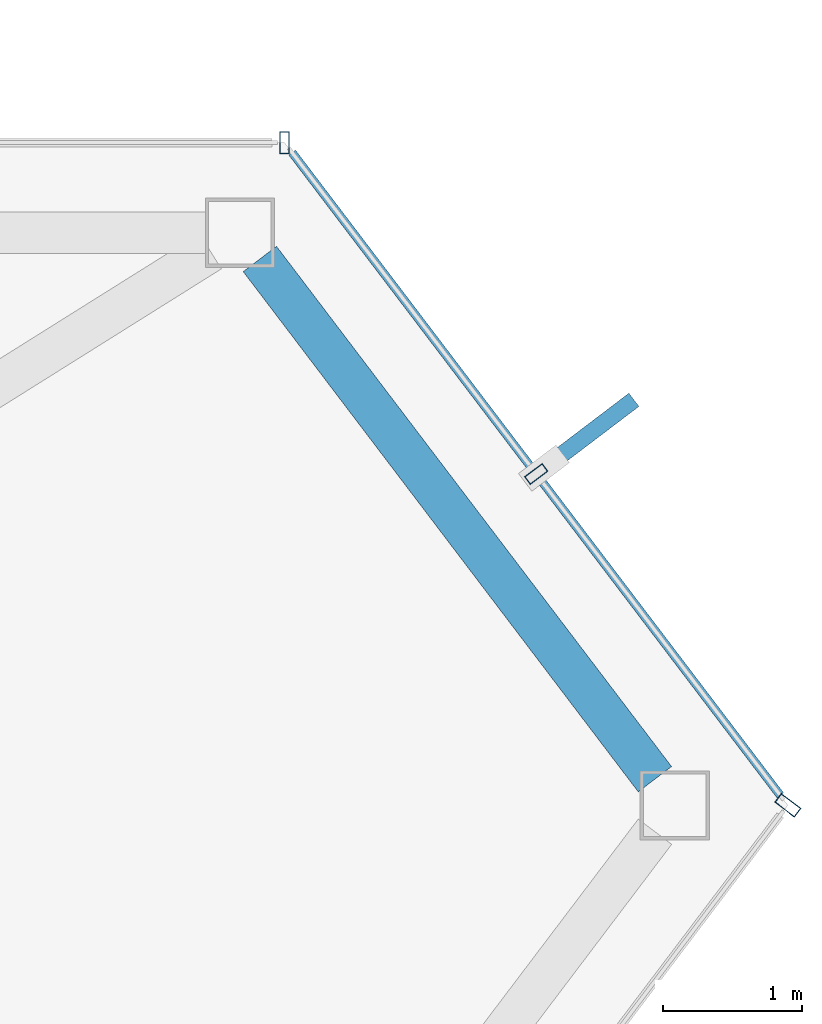
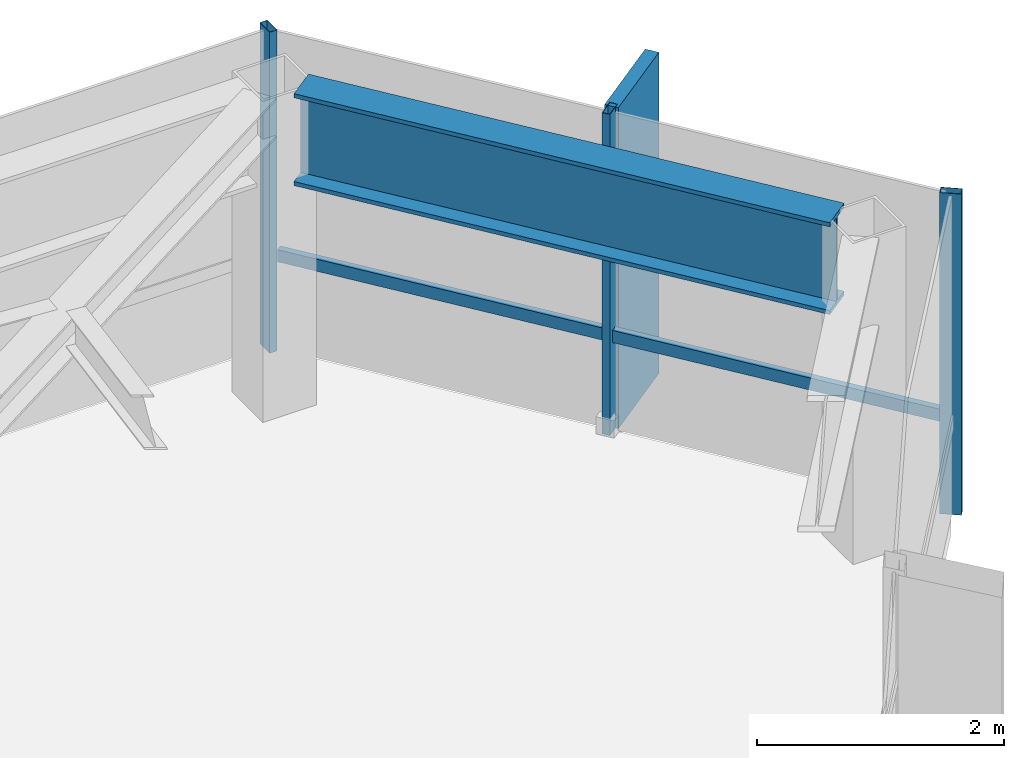
# One storey, part 19 of 24: 5 members, 1 beam, 3 elements without a shape of their own.
"""IFC4 building model written with IfcOpenShell, lengths in metres."""

from ifc_helpers import new_model, si_unit, direction, frame, origin, origin_2d, place, context, subcontext, project, spatial, rectangle, hollow_rectangle, i_section, extrude, material, layer, layer_set, material_profile, profile_set, type_object, element, aggregate, save


model = new_model("IFC4")

# Units and contexts
model_context = context("Model", 3, precision=1e-05, world=origin(), true_north=direction((0.0, 1.0)))
body_context = subcontext(model_context, "Body", "Model", "MODEL_VIEW")
ifc_project = project(units=[si_unit("LENGTHUNIT", "METRE"), si_unit("AREAUNIT", "SQUARE_METRE"), si_unit("VOLUMEUNIT", "CUBIC_METRE"), si_unit("PLANEANGLEUNIT", "RADIAN"), si_unit("MASSUNIT", "GRAM", prefix="KILO")], contexts=[model_context])

# Site, building, storey
site_placement = place(None, origin())
site = spatial("IfcSite", under=ifc_project, at=site_placement, CompositionType="ELEMENT")
building_placement = place(site_placement, origin())
building = spatial("IfcBuilding", under=site, at=building_placement, Name="Zarrinselat Tower", CompositionType="ELEMENT")
storey_placement = place(building_placement, frame((0.0, 0.0, 268.60009765625)))
storey = spatial("IfcBuildingStorey", under=building, at=storey_placement, Name="L68", CompositionType="ELEMENT", Elevation=268.60009765625)

# Beam
ifc_material_1 = material(Name="Steel S460M", Category="steel")
ifc_material_profile_1 = material_profile(ifc_material_1, i_section(OverallWidth=0.302001953125, OverallDepth=0.909912109375, WebThickness=0.02099609375, FlangeThickness=0.0400390625, at=origin_2d()), Name="HEM 900")
ifc_profile_set_1 = profile_set([ifc_material_profile_1], Name="Steel S460M")
beam_type = type_object("IfcBeamType", Name="BM-HEM900", PredefinedType="BEAM", material=ifc_profile_set_1)
beam_placement = place(storey_placement, frame((56.947509765625, 46.910400390625, 2.724853515625), z_axis=(0.60477858879, -0.796393658024, 0.0), x_axis=(0.796393658024, 0.60477858879, 0.0)))
element("IfcBeam", 1, at=beam_placement, inside=storey, type_object=beam_type, Name="L68 Perimeter Spandrel Girder SP15", PredefinedType="BEAM", context=body_context, shape_type="SweptSolid", body=[
    extrude(i_section(OverallWidth=0.302001953125, OverallDepth=0.909912109375, WebThickness=0.02099609375, FlangeThickness=0.0400390625, at=origin_2d()), origin(), (0.0, 0.0, 1.0), 4.71435546875),
])

# Curtain wall, member
ifc_material_2 = material(Name="Extruded Aluminium Alloy EN AW-6063 T6", Category="aluminium")
ifc_layer_1 = layer(ifc_material_2, 0.199951171875)
ifc_layer_set_1 = layer_set([ifc_layer_1], Name="Extruded Aluminium Alloy EN AW-6063 T6")
curtain_wall_type_1 = type_object("IfcCurtainWallType", Name="CWS-BLADE", PredefinedType="NOTDEFINED", material=ifc_layer_set_1)
curtain_wall_1_placement = place(storey_placement, origin())
curtain_wall_1 = element("IfcCurtainWall", 2, at=curtain_wall_1_placement, inside=storey, type_object=curtain_wall_type_1, Name="L68 Unitised Curtain Wall CW-L68-E05", PredefinedType="NOTDEFINED")
ifc_material_3 = material(Name="Extruded Aluminium Alloy EN AW-6063 T6", Category="aluminium")
ifc_material_profile_2 = material_profile(ifc_material_3, hollow_rectangle(XDim=0.080078125, YDim=0.179931640625, WallThickness=0.0048828125, at=origin_2d()), Name="RHS 180x80x5")
ifc_profile_set_2 = profile_set([ifc_material_profile_2], Name="Extruded Aluminium Alloy EN AW-6063 T6")
member_type_1 = type_object("IfcMemberType", Name="MEM-CW-MUL", PredefinedType="MULLION", material=ifc_profile_set_2)
member_1_placement = place(storey_placement, frame((60.75830078125, 42.96728515625, 0.0), z_axis=(0.0, 0.0, 1.0), x_axis=(0.603169586453, 0.797612970041, 0.0)))
member_1 = element("IfcMember", 3, at=member_1_placement, type_object=member_type_1, Name="CW-L68-E05 Mullion 10", PredefinedType="MULLION", context=body_context, shape_type="SweptSolid", body=[
    extrude(hollow_rectangle(XDim=0.080078125, YDim=0.179931640625, WallThickness=0.0048828125, at=origin_2d()), origin(), (0.0, 0.0, 1.0), 3.179931640625),
])
aggregate(curtain_wall_1, [member_1])

ifc_material_4 = material(Name="Extruded Aluminium Alloy EN AW-6063 T6", Category="aluminium")
ifc_layer_2 = layer(ifc_material_4, 0.169921875)
ifc_layer_set_2 = layer_set([ifc_layer_2], Name="Extruded Aluminium Alloy EN AW-6063 T6")
curtain_wall_type_2 = type_object("IfcCurtainWallType", Name="CWS-RES", PredefinedType="NOTDEFINED", material=ifc_layer_set_2)
curtain_wall_2_placement = place(storey_placement, origin())
curtain_wall_2 = element("IfcCurtainWall", 4, at=curtain_wall_2_placement, inside=storey, type_object=curtain_wall_type_2, Name="L68 Unitised Curtain Wall CW-L68-E01", PredefinedType="NOTDEFINED")
ifc_material_5 = material(Name="Extruded Aluminium Alloy EN AW-6063 T6", Category="aluminium")
ifc_material_profile_3 = material_profile(ifc_material_5, hollow_rectangle(XDim=0.070068359375, YDim=0.159912109375, WallThickness=0.00390625, at=origin_2d()), Name="RHS 160x70x4")
ifc_profile_set_3 = profile_set([ifc_material_profile_3], Name="Extruded Aluminium Alloy EN AW-6063 T6")
member_type_2 = type_object("IfcMemberType", Name="MEM-CW-MUL2", PredefinedType="MULLION", material=ifc_profile_set_3)
member_2_placement = place(storey_placement, frame((57.126220703125, 47.75, 0.0), z_axis=(0.0, 0.0, 1.0), x_axis=(-1.0, 0.0, 0.0)))
member_2 = element("IfcMember", 5, at=member_2_placement, type_object=member_type_2, Name="CW-L68-E01 Mullion 0", PredefinedType="MULLION", context=body_context, shape_type="SweptSolid", body=[
    extrude(hollow_rectangle(XDim=0.070068359375, YDim=0.159912109375, WallThickness=0.00390625, at=origin_2d()), origin(), (0.0, 0.0, 1.0), 3.179931640625),
])
aggregate(curtain_wall_2, [member_2])

# Curtain wall, members
curtain_wall_3_placement = place(storey_placement, origin())
curtain_wall_3 = element("IfcCurtainWall", 6, at=curtain_wall_3_placement, inside=storey, type_object=curtain_wall_type_2, Name="L68 Unitised Curtain Wall CW-L68-E06", PredefinedType="NOTDEFINED")
member_3_placement = place(storey_placement, frame((58.942138671875, 45.358642578125, 0.0), z_axis=(0.0, 0.0, 1.0), x_axis=(-0.604782197055, 0.796390917907, 0.0)))
member_3 = element("IfcMember", 7, at=member_3_placement, type_object=member_type_2, Name="CW-L68-E06 Mullion 1", PredefinedType="MULLION", context=body_context, shape_type="SweptSolid", body=[
    extrude(hollow_rectangle(XDim=0.070068359375, YDim=0.159912109375, WallThickness=0.00390625, at=origin_2d()), origin(), (0.0, 0.0, 1.0), 3.179931640625),
])
ifc_material_6 = material(Name="Extruded Aluminium Alloy EN AW-6063 T6", Category="aluminium")
ifc_material_profile_4 = material_profile(ifc_material_6, hollow_rectangle(XDim=0.06005859375, YDim=0.1201171875, WallThickness=0.00390625, at=origin_2d()), Name="RHS 120x60x4")
ifc_profile_set_4 = profile_set([ifc_material_profile_4], Name="Extruded Aluminium Alloy EN AW-6063 T6")
member_type_3 = type_object("IfcMemberType", Name="MEM-CW-TRN2", PredefinedType="USERDEFINED", material=ifc_profile_set_4)
member_4_placement = place(storey_placement, frame((60.703857421875, 43.0390625, 0.949951171875), z_axis=(-0.60480375916, 0.796374543105, 0.0), x_axis=(-0.796374543105, -0.60480375916, 0.0)))
member_4 = element("IfcMember", 8, at=member_4_placement, type_object=member_type_3, Name="CW-L68-E06 Transom 1", ObjectType="TRANSOM", PredefinedType="USERDEFINED", context=body_context, shape_type="SweptSolid", body=[
    extrude(hollow_rectangle(XDim=0.06005859375, YDim=0.1201171875, WallThickness=0.00390625, at=origin_2d()), origin(), (0.0, 0.0, 1.0), 5.825439453125),
])
ifc_material_7 = material(Name="Honed Cream Travertine Stone", Category="masonry")
ifc_material_profile_5 = material_profile(ifc_material_7, rectangle(XDim=0.1201171875, YDim=0.85009765625, at=origin_2d()), Name="FIN 850x120")
ifc_profile_set_5 = profile_set([ifc_material_profile_5], Name="Honed Cream Travertine Stone")
member_type_4 = type_object("IfcMemberType", Name="MEM-STONE-FIN", PredefinedType="USERDEFINED", material=ifc_profile_set_5)
member_5_placement = place(storey_placement, frame((59.30859375, 45.63671875, 0.0), z_axis=(0.0, 0.0, 1.0), x_axis=(0.604782197055, -0.796390917907, 0.0)))
member_5 = element("IfcMember", 9, at=member_5_placement, type_object=member_type_4, Name="L68 Stone Shading Fin CW-L68-E06-01", ObjectType="FIN", PredefinedType="USERDEFINED", context=body_context, shape_type="SweptSolid", body=[
    extrude(rectangle(XDim=0.1201171875, YDim=0.85009765625, at=origin_2d()), origin(), (0.0, 0.0, 1.0), 3.179931640625),
])
aggregate(curtain_wall_3, [member_3, member_5, member_4])

save(model, "model.ifc")
